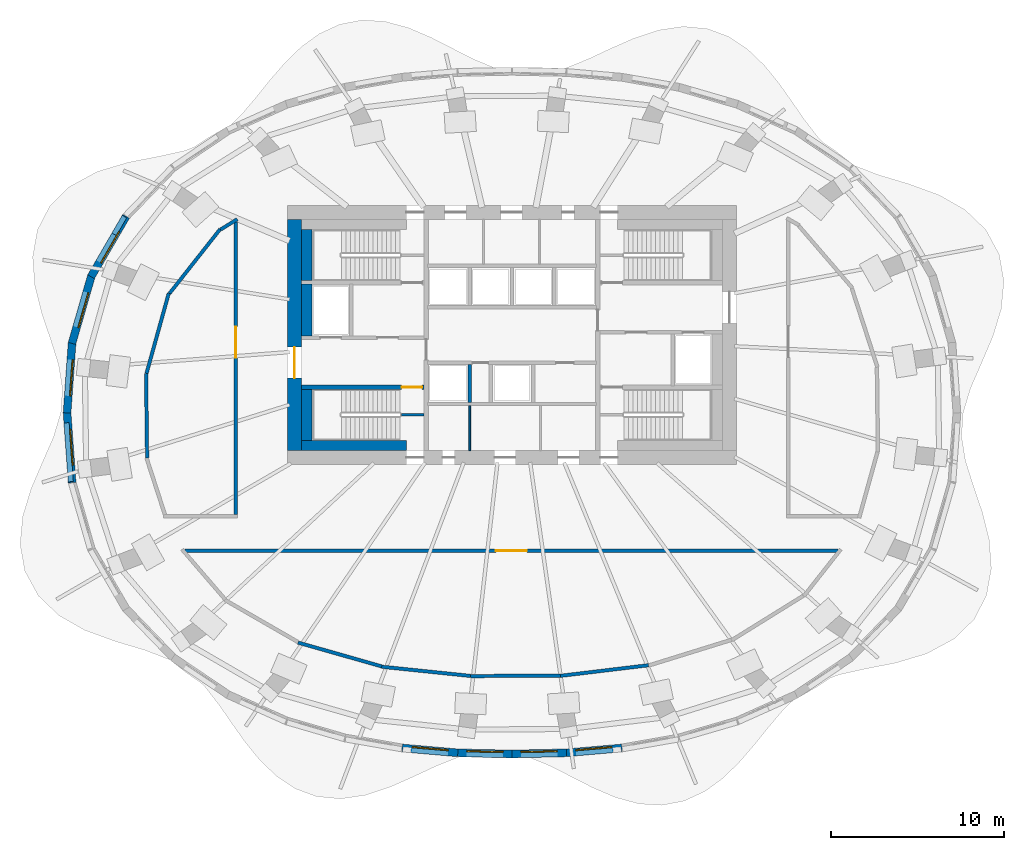
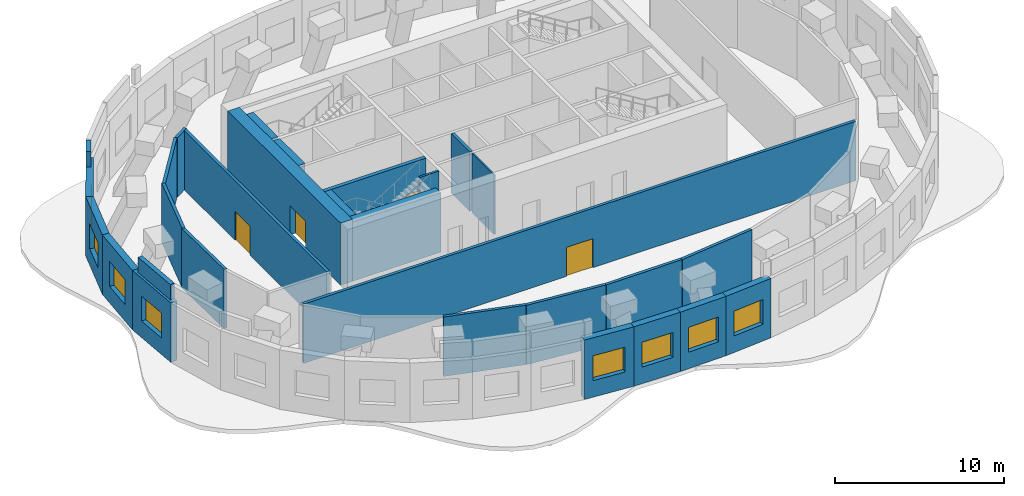
# One storey, part 4 of 9: 29 walls, 8 windows, 4 doors, 12 openings.
"""IFC4 building model written with IfcOpenShell, lengths in metres."""

from ifc_helpers import new_model, si_unit, direction, frame, frame_2d, origin, place, context, subcontext, project, spatial, rectangle, extrude, material, layer, layer_set, type_object, element, fill, save


model = new_model("IFC4")

# Units and contexts
model_context = context("Model", 3, precision=1e-05, world=origin(), true_north=direction((0.0, 1.0)))
body_context = subcontext(model_context, "Body", "Model", "MODEL_VIEW")
ifc_project = project(units=[si_unit("LENGTHUNIT", "METRE"), si_unit("AREAUNIT", "SQUARE_METRE"), si_unit("VOLUMEUNIT", "CUBIC_METRE"), si_unit("PLANEANGLEUNIT", "RADIAN"), si_unit("MASSUNIT", "GRAM", prefix="KILO")], contexts=[model_context])

# Site, building, storey
site_placement = place(None, origin())
site = spatial("IfcSite", under=ifc_project, at=site_placement, CompositionType="ELEMENT")
building_placement = place(site_placement, origin())
building = spatial("IfcBuilding", under=site, at=building_placement, Name="Rubra Terraces Tower", CompositionType="ELEMENT")
storey_placement = place(building_placement, frame((0.0, 0.0, 264.300048828125)))
storey = spatial("IfcBuildingStorey", under=building, at=storey_placement, Name="L65", CompositionType="ELEMENT", Elevation=264.300048828125)

# Wall, opening, window
ifc_material_1 = material(Name="Brick masonry red-brown", Category="masonry")
ifc_layer_1 = layer(ifc_material_1, 0.449951171875)
ifc_layer_set_1 = layer_set([ifc_layer_1], Name="Brick masonry red-brown")
wall_type_1 = type_object("IfcWallType", Name="Brick facade wall 450", PredefinedType="SOLIDWALL", material=ifc_layer_set_1)
wall_1_placement = place(storey_placement, frame((-22.353515625, 11.3759765625, 0.0), z_axis=(0.0, 0.0, 1.0), x_axis=(-0.502055516261, -0.864835393929, 0.0)))
wall_1 = element("IfcWall", 1, at=wall_1_placement, inside=storey, type_object=wall_type_1, Name="Facade wall L65 bay 18", PredefinedType="SOLIDWALL", context=body_context, shape_type="SweptSolid", body=[
    extrude(rectangle(XDim=4.04931640625, YDim=0.449951171875, at=frame_2d((2.024658203125, 0.0))), origin(), (0.0, 0.0, 1.0), 4.300048828125),
])
opening_1_placement = place(wall_1_placement, frame((0.974609375, 0.0, 1.199951171875)))
opening_1 = element("IfcOpeningElement", 2, at=opening_1_placement, cuts=wall_1, Name="Opening W4", PredefinedType="OPENING", context=body_context, shape_type="SweptSolid", body=[
    extrude(rectangle(XDim=2.10009765625, YDim=1.800048828125, at=frame_2d((1.050048828125, 0.89990234375))), frame((0.0, 0.23486328125, 0.0), z_axis=(0.0, -1.0, 0.0), x_axis=(1.0, 0.0, 0.0)), (0.0, 0.0, 1.0), 0.469970703125),
])
ifc_material_2 = material(Name="Clear glass in aluminium frame", Category="aluminium")
window_type = type_object("IfcWindowType", Name="Louvred plant window 2100 x 1800", PartitioningType="SINGLE_PANEL", PredefinedType="WINDOW", material=ifc_material_2)
window_1_placement = place(opening_1_placement, origin())
window_1 = element("IfcWindow", 3, at=window_1_placement, inside=storey, type_object=window_type, Name="Window L65 bay 18", OverallHeight=1.800048828125, OverallWidth=2.10009765625, PartitioningType="SINGLE_PANEL", PredefinedType="WINDOW", context=body_context, shape_type="SweptSolid", body=[
    extrude(rectangle(XDim=2.10009765625, YDim=1.800048828125, at=frame_2d((1.050048828125, 0.89990234375))), frame((0.0, 0.135009765625, 0.0), z_axis=(0.0, -1.0, 0.0), x_axis=(1.0, 0.0, 0.0)), (0.0, 0.0, 1.0), 0.06005859375),
])
fill(opening_1, window_1)

wall_2_placement = place(storey_placement, frame((-24.36474609375, 7.9248046875, 0.0), z_axis=(0.0, 0.0, 1.0), x_axis=(-0.276398759245, -0.961043040601, 0.0)))
wall_2 = element("IfcWall", 4, at=wall_2_placement, inside=storey, type_object=wall_type_1, Name="Facade wall L65 bay 19", PredefinedType="SOLIDWALL", context=body_context, shape_type="SweptSolid", body=[
    extrude(rectangle(XDim=4.07373046875, YDim=0.449951171875, at=frame_2d((2.036865234375, 0.0))), origin(), (0.0, 0.0, 1.0), 4.300048828125),
])
opening_2_placement = place(wall_2_placement, frame((0.98681640625, 0.0, 1.199951171875)))
opening_2 = element("IfcOpeningElement", 5, at=opening_2_placement, cuts=wall_2, Name="Opening W4", PredefinedType="OPENING", context=body_context, shape_type="SweptSolid", body=[
    extrude(rectangle(XDim=2.10009765625, YDim=1.800048828125, at=frame_2d((1.050048828125, 0.89990234375))), frame((0.0, 0.23486328125, 0.0), z_axis=(0.0, -1.0, 0.0), x_axis=(1.0, 0.0, 0.0)), (0.0, 0.0, 1.0), 0.469970703125),
])
window_2_placement = place(opening_2_placement, origin())
window_2 = element("IfcWindow", 6, at=window_2_placement, inside=storey, type_object=window_type, Name="Window L65 bay 19", OverallHeight=1.800048828125, OverallWidth=2.10009765625, PartitioningType="SINGLE_PANEL", PredefinedType="WINDOW", context=body_context, shape_type="SweptSolid", body=[
    extrude(rectangle(XDim=2.10009765625, YDim=1.800048828125, at=frame_2d((1.050048828125, 0.89990234375))), frame((0.0, 0.135009765625, 0.0), z_axis=(0.0, -1.0, 0.0), x_axis=(1.0, 0.0, 0.0)), (0.0, 0.0, 1.0), 0.06005859375),
])
fill(opening_2, window_2)

wall_3_placement = place(storey_placement, frame((-25.482666015625, 4.055908203125, 0.0), z_axis=(0.0, 0.0, 1.0), x_axis=(-0.071761268902, -0.99742183668, 0.0)))
wall_3 = element("IfcWall", 7, at=wall_3_placement, inside=storey, type_object=wall_type_1, Name="Facade wall L65 bay 20", PredefinedType="SOLIDWALL", context=body_context, shape_type="SweptSolid", body=[
    extrude(rectangle(XDim=4.08251953125, YDim=0.449951171875, at=frame_2d((2.041259765625, 0.0))), origin(), (0.0, 0.0, 1.0), 4.300048828125),
])
opening_3_placement = place(wall_3_placement, frame((0.9912109375, 0.0, 1.199951171875)))
opening_3 = element("IfcOpeningElement", 8, at=opening_3_placement, cuts=wall_3, Name="Opening W4", PredefinedType="OPENING", context=body_context, shape_type="SweptSolid", body=[
    extrude(rectangle(XDim=2.10009765625, YDim=1.800048828125, at=frame_2d((1.050048828125, 0.89990234375))), frame((0.0, 0.23486328125, 0.0), z_axis=(0.0, -1.0, 0.0), x_axis=(1.0, 0.0, 0.0)), (0.0, 0.0, 1.0), 0.469970703125),
])
window_3_placement = place(opening_3_placement, origin())
window_3 = element("IfcWindow", 9, at=window_3_placement, inside=storey, type_object=window_type, Name="Window L65 bay 20", OverallHeight=1.800048828125, OverallWidth=2.10009765625, PartitioningType="SINGLE_PANEL", PredefinedType="WINDOW", context=body_context, shape_type="SweptSolid", body=[
    extrude(rectangle(XDim=2.10009765625, YDim=1.800048828125, at=frame_2d((1.050048828125, 0.89990234375))), frame((0.0, 0.135009765625, 0.0), z_axis=(0.0, -1.0, 0.0), x_axis=(1.0, 0.0, 0.0)), (0.0, 0.0, 1.0), 0.06005859375),
])
fill(opening_3, window_3)

wall_4_placement = place(storey_placement, frame((-25.775634765625, 0.01611328125, 0.0), z_axis=(0.0, 0.0, 1.0), x_axis=(0.071761268902, -0.99742183668, 0.0)))
wall_4 = element("IfcWall", 10, at=wall_4_placement, inside=storey, type_object=wall_type_1, Name="Facade wall L65 bay 21", PredefinedType="SOLIDWALL", context=body_context, shape_type="SweptSolid", body=[
    extrude(rectangle(XDim=4.08251953125, YDim=0.449951171875, at=frame_2d((2.041259765625, 0.0))), origin(), (0.0, 0.0, 1.0), 4.300048828125),
])
opening_4_placement = place(wall_4_placement, frame((0.9912109375, 0.0, 1.199951171875)))
opening_4 = element("IfcOpeningElement", 11, at=opening_4_placement, cuts=wall_4, Name="Opening W4", PredefinedType="OPENING", context=body_context, shape_type="SweptSolid", body=[
    extrude(rectangle(XDim=2.10009765625, YDim=1.800048828125, at=frame_2d((1.050048828125, 0.89990234375))), frame((0.0, 0.23486328125, 0.0), z_axis=(0.0, -1.0, 0.0), x_axis=(1.0, 0.0, 0.0)), (0.0, 0.0, 1.0), 0.469970703125),
])
window_4_placement = place(opening_4_placement, origin())
window_4 = element("IfcWindow", 12, at=window_4_placement, inside=storey, type_object=window_type, Name="Window L65 bay 21", OverallHeight=1.800048828125, OverallWidth=2.10009765625, PartitioningType="SINGLE_PANEL", PredefinedType="WINDOW", context=body_context, shape_type="SweptSolid", body=[
    extrude(rectangle(XDim=2.10009765625, YDim=1.800048828125, at=frame_2d((1.050048828125, 0.89990234375))), frame((0.0, 0.135009765625, 0.0), z_axis=(0.0, -1.0, 0.0), x_axis=(1.0, 0.0, 0.0)), (0.0, 0.0, 1.0), 0.06005859375),
])
fill(opening_4, window_4)

wall_5_placement = place(storey_placement, frame((-6.365478515625, -19.427734375, 0.0), z_axis=(0.0, 0.0, 1.0), x_axis=(0.996257816502, -0.086431262047, 0.0)))
wall_5 = element("IfcWall", 13, at=wall_5_placement, inside=storey, type_object=wall_type_1, Name="Facade wall L65 bay 29", PredefinedType="SOLIDWALL", context=body_context, shape_type="SweptSolid", body=[
    extrude(rectangle(XDim=3.239990234375, YDim=0.449951171875, at=frame_2d((1.6201171875, 0.0))), origin(), (0.0, 0.0, 1.0), 4.300048828125),
])
opening_5_placement = place(wall_5_placement, frame((0.570068359375, 0.0, 1.199951171875)))
opening_5 = element("IfcOpeningElement", 14, at=opening_5_placement, cuts=wall_5, Name="Opening W4", PredefinedType="OPENING", context=body_context, shape_type="SweptSolid", body=[
    extrude(rectangle(XDim=2.10009765625, YDim=1.800048828125, at=frame_2d((1.050048828125, 0.89990234375))), frame((0.0, 0.23486328125, 0.0), z_axis=(0.0, -1.0, 0.0), x_axis=(1.0, 0.0, 0.0)), (0.0, 0.0, 1.0), 0.469970703125),
])
window_5_placement = place(opening_5_placement, origin())
window_5 = element("IfcWindow", 15, at=window_5_placement, inside=storey, type_object=window_type, Name="Window L65 bay 29", OverallHeight=1.800048828125, OverallWidth=2.10009765625, PartitioningType="SINGLE_PANEL", PredefinedType="WINDOW", context=body_context, shape_type="SweptSolid", body=[
    extrude(rectangle(XDim=2.10009765625, YDim=1.800048828125, at=frame_2d((1.050048828125, 0.89990234375))), frame((0.0, 0.135009765625, 0.0), z_axis=(0.0, -1.0, 0.0), x_axis=(1.0, 0.0, 0.0)), (0.0, 0.0, 1.0), 0.06005859375),
])
fill(opening_5, window_5)

wall_6_placement = place(storey_placement, frame((-3.152099609375, -19.70703125, 0.0), z_axis=(0.0, 0.0, 1.0), x_axis=(0.999768982512, -0.021493757415, 0.0)))
wall_6 = element("IfcWall", 16, at=wall_6_placement, inside=storey, type_object=wall_type_1, Name="Facade wall L65 bay 30", PredefinedType="SOLIDWALL", context=body_context, shape_type="SweptSolid", body=[
    extrude(rectangle(XDim=3.15771484375, YDim=0.449951171875, at=frame_2d((1.578857421875, 0.0))), origin(), (0.0, 0.0, 1.0), 4.300048828125),
])
opening_6_placement = place(wall_6_placement, frame((0.52880859375, 0.0, 1.199951171875)))
opening_6 = element("IfcOpeningElement", 17, at=opening_6_placement, cuts=wall_6, Name="Opening W4", PredefinedType="OPENING", context=body_context, shape_type="SweptSolid", body=[
    extrude(rectangle(XDim=2.10009765625, YDim=1.800048828125, at=frame_2d((1.050048828125, 0.89990234375))), frame((0.0, 0.23486328125, 0.0), z_axis=(0.0, -1.0, 0.0), x_axis=(1.0, 0.0, 0.0)), (0.0, 0.0, 1.0), 0.469970703125),
])
window_6_placement = place(opening_6_placement, origin())
window_6 = element("IfcWindow", 18, at=window_6_placement, inside=storey, type_object=window_type, Name="Window L65 bay 30", OverallHeight=1.800048828125, OverallWidth=2.10009765625, PartitioningType="SINGLE_PANEL", PredefinedType="WINDOW", context=body_context, shape_type="SweptSolid", body=[
    extrude(rectangle(XDim=2.10009765625, YDim=1.800048828125, at=frame_2d((1.050048828125, 0.89990234375))), frame((0.0, 0.135009765625, 0.0), z_axis=(0.0, -1.0, 0.0), x_axis=(1.0, 0.0, 0.0)), (0.0, 0.0, 1.0), 0.06005859375),
])
fill(opening_6, window_6)

wall_7_placement = place(storey_placement, frame((-0.0048828125, -19.77490234375, 0.0), z_axis=(0.0, 0.0, 1.0), x_axis=(0.999768982512, 0.021493757415, 0.0)))
wall_7 = element("IfcWall", 19, at=wall_7_placement, inside=storey, type_object=wall_type_1, Name="Facade wall L65 bay 31", PredefinedType="SOLIDWALL", context=body_context, shape_type="SweptSolid", body=[
    extrude(rectangle(XDim=3.15771484375, YDim=0.449951171875, at=frame_2d((1.578857421875, 0.0))), origin(), (0.0, 0.0, 1.0), 4.300048828125),
])
opening_7_placement = place(wall_7_placement, frame((0.52880859375, 0.0, 1.199951171875)))
opening_7 = element("IfcOpeningElement", 20, at=opening_7_placement, cuts=wall_7, Name="Opening W4", PredefinedType="OPENING", context=body_context, shape_type="SweptSolid", body=[
    extrude(rectangle(XDim=2.10009765625, YDim=1.800048828125, at=frame_2d((1.050048828125, 0.89990234375))), frame((0.0, 0.23486328125, 0.0), z_axis=(0.0, -1.0, 0.0), x_axis=(1.0, 0.0, 0.0)), (0.0, 0.0, 1.0), 0.469970703125),
])
window_7_placement = place(opening_7_placement, origin())
window_7 = element("IfcWindow", 21, at=window_7_placement, inside=storey, type_object=window_type, Name="Window L65 bay 31", OverallHeight=1.800048828125, OverallWidth=2.10009765625, PartitioningType="SINGLE_PANEL", PredefinedType="WINDOW", context=body_context, shape_type="SweptSolid", body=[
    extrude(rectangle(XDim=2.10009765625, YDim=1.800048828125, at=frame_2d((1.050048828125, 0.89990234375))), frame((0.0, 0.135009765625, 0.0), z_axis=(0.0, -1.0, 0.0), x_axis=(1.0, 0.0, 0.0)), (0.0, 0.0, 1.0), 0.06005859375),
])
fill(opening_7, window_7)

wall_8_placement = place(storey_placement, frame((3.1376953125, -19.707763671875, 0.0), z_axis=(0.0, 0.0, 1.0), x_axis=(0.996257816502, 0.086431262047, 0.0)))
wall_8 = element("IfcWall", 22, at=wall_8_placement, inside=storey, type_object=wall_type_1, Name="Facade wall L65 bay 32", PredefinedType="SOLIDWALL", context=body_context, shape_type="SweptSolid", body=[
    extrude(rectangle(XDim=3.239990234375, YDim=0.449951171875, at=frame_2d((1.6201171875, 0.0))), origin(), (0.0, 0.0, 1.0), 4.300048828125),
])
opening_8_placement = place(wall_8_placement, frame((0.570068359375, 0.0, 1.199951171875)))
opening_8 = element("IfcOpeningElement", 23, at=opening_8_placement, cuts=wall_8, Name="Opening W4", PredefinedType="OPENING", context=body_context, shape_type="SweptSolid", body=[
    extrude(rectangle(XDim=2.10009765625, YDim=1.800048828125, at=frame_2d((1.050048828125, 0.89990234375))), frame((0.0, 0.23486328125, 0.0), z_axis=(0.0, -1.0, 0.0), x_axis=(1.0, 0.0, 0.0)), (0.0, 0.0, 1.0), 0.469970703125),
])
window_8_placement = place(opening_8_placement, origin())
window_8 = element("IfcWindow", 24, at=window_8_placement, inside=storey, type_object=window_type, Name="Window L65 bay 32", OverallHeight=1.800048828125, OverallWidth=2.10009765625, PartitioningType="SINGLE_PANEL", PredefinedType="WINDOW", context=body_context, shape_type="SweptSolid", body=[
    extrude(rectangle(XDim=2.10009765625, YDim=1.800048828125, at=frame_2d((1.050048828125, 0.89990234375))), frame((0.0, 0.135009765625, 0.0), z_axis=(0.0, -1.0, 0.0), x_axis=(1.0, 0.0, 0.0)), (0.0, 0.0, 1.0), 0.06005859375),
])
fill(opening_8, window_8)

# Walls
ifc_layer_2 = layer(ifc_material_1, 0.300048828125)
ifc_layer_set_2 = layer_set([ifc_layer_2], Name="Brick masonry red-brown")
wall_type_2 = type_object("IfcWallType", Name="Brick parapet 300", PredefinedType="PARAPET", material=ifc_layer_set_2)
wall_9_placement = place(storey_placement, frame((-22.45166015625, 11.356201171875, 4.5), z_axis=(0.0, 0.0, 1.0), x_axis=(-0.5021006954, -0.864809164891, 0.0)))
element("IfcWall", 25, at=wall_9_placement, inside=storey, type_object=wall_type_2, Name="Parapet L65 bay 18", PredefinedType="PARAPET", context=body_context, shape_type="SweptSolid", body=[
    extrude(rectangle(XDim=1.18408203125, YDim=0.300048828125, at=frame_2d((0.592041015625, 0.0))), origin(), (0.0, 0.0, 1.0), 1.099853515625),
])
wall_10_placement = place(storey_placement, frame((-25.807373046875, -0.58837890625, 4.5), z_axis=(0.0, 0.0, 1.0), x_axis=(0.071805009365, -0.997418688731, 0.0)))
element("IfcWall", 26, at=wall_10_placement, inside=storey, type_object=wall_type_2, Name="Parapet L65 bay 21", PredefinedType="PARAPET", context=body_context, shape_type="SweptSolid", body=[
    extrude(rectangle(XDim=3.42041015625, YDim=0.300048828125, at=frame_2d((1.710205078125, 0.0))), origin(), (0.0, 0.0, 1.0), 1.099853515625),
])

# Wall, opening, door
ifc_material_3 = material(Name="Concrete C50", Category="concrete")
ifc_layer_3 = layer(ifc_material_3, 0.800048828125)
ifc_layer_set_3 = layer_set([ifc_layer_3], Name="Concrete C50")
wall_type_3 = type_object("IfcWallType", Name="CORE WALL 800 C50", PredefinedType="SHEAR", material=ifc_layer_set_3)
wall_11_placement = place(storey_placement, frame((-12.60009765625, -2.199951171875, 0.0), z_axis=(0.0, 0.0, 1.0), x_axis=(0.0, 1.0, 0.0)))
wall_11 = element("IfcWall", 27, at=wall_11_placement, inside=storey, type_object=wall_type_3, Name="CORE WALL W L65", PredefinedType="SHEAR", context=body_context, shape_type="SweptSolid", body=[
    extrude(rectangle(XDim=13.39990234375, YDim=0.800048828125, at=frame_2d((6.699951171875, 0.0))), origin(), (0.0, 0.0, 1.0), 4.5),
])
opening_9_placement = place(wall_11_placement, frame((4.199951171875, 0.0, 0.0)))
opening_9 = element("IfcOpeningElement", 28, at=opening_9_placement, cuts=wall_11, Name="Opening L65.C01", PredefinedType="OPENING", context=body_context, shape_type="SweptSolid", body=[
    extrude(rectangle(XDim=1.800048828125, YDim=2.10009765625, at=frame_2d((0.89990234375, 1.050048828125))), frame((0.0, 0.409912109375, 0.0), z_axis=(0.0, -1.0, 0.0), x_axis=(1.0, 0.0, 0.0)), (0.0, 0.0, 1.0), 0.820068359375),
])
ifc_material_4 = material(Name="Painted steel", Category="steel")
door_type_1 = type_object("IfcDoorType", Name="Fire door 1800x2100 double", OperationType="NOTDEFINED", PredefinedType="DOOR", material=ifc_material_4)
door_1_placement = place(opening_9_placement, origin())
door_1 = element("IfcDoor", 29, at=door_1_placement, inside=storey, type_object=door_type_1, Name="Core entrance door FF1", OperationType="DOUBLE_DOOR_SINGLE_SWING", OverallHeight=2.10009765625, OverallWidth=1.800048828125, PredefinedType="DOOR", context=body_context, shape_type="SweptSolid", body=[
    extrude(rectangle(XDim=1.800048828125, YDim=2.10009765625, at=frame_2d((0.89990234375, 1.050048828125))), frame((0.0, 0.02490234375, 0.0), z_axis=(0.0, -1.0, 0.0), x_axis=(1.0, 0.0, 0.0)), (0.0, 0.0, 1.0), 0.050048828125),
])
fill(opening_9, door_1)

# Walls
ifc_material_5 = material(Name="Concrete C40", Category="concrete")
ifc_layer_4 = layer(ifc_material_5, 0.60009765625)
ifc_layer_set_4 = layer_set([ifc_layer_4], Name="Concrete C40")
wall_type_4 = type_object("IfcWallType", Name="Core lining wall 600 concrete", PredefinedType="SOLIDWALL", material=ifc_layer_set_4)
wall_12_placement = place(storey_placement, frame((-12.199951171875, -1.89990234375, 0.0), z_axis=(0.0, 0.0, 1.0), x_axis=(1.0, 0.0, 0.0)))
element("IfcWall", 30, at=wall_12_placement, inside=storey, type_object=wall_type_4, Name="CORE LINING WALL L65", PredefinedType="SOLIDWALL", context=body_context, shape_type="SweptSolid", body=[
    extrude(rectangle(XDim=6.079833984375, YDim=0.60009765625, at=frame_2d((3.0400390625, 0.0))), origin(), (0.0, 0.0, 1.0), 4.300048828125),
])
wall_13_placement = place(storey_placement, frame((-11.89990234375, -1.60009765625, 0.0), z_axis=(0.0, 0.0, 1.0), x_axis=(0.0, 1.0, 0.0)))
element("IfcWall", 31, at=wall_13_placement, inside=storey, type_object=wall_type_4, Name="CORE LINING WALL L65", PredefinedType="SOLIDWALL", context=body_context, shape_type="SweptSolid", body=[
    extrude(rectangle(XDim=2.9501953125, YDim=0.60009765625, at=frame_2d((1.47509765625, 0.0))), origin(), (0.0, 0.0, 1.0), 4.300048828125),
])
wall_14_placement = place(storey_placement, frame((-11.89990234375, 4.449951171875, 0.0), z_axis=(0.0, 0.0, 1.0), x_axis=(0.0, 1.0, 0.0)))
element("IfcWall", 32, at=wall_14_placement, inside=storey, type_object=wall_type_4, Name="CORE LINING WALL L65", PredefinedType="SOLIDWALL", context=body_context, shape_type="SweptSolid", body=[
    extrude(rectangle(XDim=3.0, YDim=0.60009765625, at=frame_2d((1.5, 0.0))), origin(), (0.0, 0.0, 1.0), 4.300048828125),
])
wall_15_placement = place(storey_placement, frame((-11.89990234375, 7.64990234375, 0.0), z_axis=(0.0, 0.0, 1.0), x_axis=(0.0, 1.0, 0.0)))
element("IfcWall", 33, at=wall_15_placement, inside=storey, type_object=wall_type_4, Name="CORE LINING WALL L65", PredefinedType="SOLIDWALL", context=body_context, shape_type="SweptSolid", body=[
    extrude(rectangle(XDim=2.9501953125, YDim=0.60009765625, at=frame_2d((1.47509765625, 0.0))), origin(), (0.0, 0.0, 1.0), 4.300048828125),
])
ifc_material_6 = material(Name="Concrete C30", Category="concrete")
ifc_layer_5 = layer(ifc_material_6, 0.199951171875)
ifc_layer_set_5 = layer_set([ifc_layer_5], Name="Concrete C30")
wall_type_5 = type_object("IfcWallType", Name="Core wall 200 concrete", PredefinedType="SOLIDWALL", material=ifc_layer_set_5)
wall_16_placement = place(storey_placement, frame((-2.449951171875, 0.60009765625, 0.0), z_axis=(0.0, 0.0, 1.0), x_axis=(0.0, 1.0, 0.0)))
element("IfcWall", 34, at=wall_16_placement, inside=storey, type_object=wall_type_5, Name="LIFT SHAFT WALL L65", PredefinedType="SOLIDWALL", context=body_context, shape_type="SweptSolid", body=[
    extrude(rectangle(XDim=2.199951171875, YDim=0.199951171875, at=frame_2d((1.10009765625, 0.0))), origin(), (0.0, 0.0, 1.0), 4.300048828125),
])
ifc_material_7 = material(Name="Blockwork", Category="masonry")
ifc_layer_6 = layer(ifc_material_7, 0.199951171875)
ifc_layer_set_6 = layer_set([ifc_layer_6], Name="Blockwork")
wall_type_6 = type_object("IfcWallType", Name="Corridor partition 200 blockwork", PredefinedType="PARTITIONING", material=ifc_layer_set_6)
wall_17_placement = place(storey_placement, frame((7.912109375, -14.633056640625, 0.0), z_axis=(0.0, 0.0, 1.0), x_axis=(-0.992841344803, -0.119440629808, 0.0)))
element("IfcWall", 35, at=wall_17_placement, inside=storey, type_object=wall_type_6, Name="Partition wall", PredefinedType="PARTITIONING", context=body_context, shape_type="SweptSolid", body=[
    extrude(rectangle(XDim=5.14892578125, YDim=0.199951171875, at=frame_2d((2.574462890625, 0.0))), origin(), (0.0, 0.0, 1.0), 4.300048828125),
])
wall_18_placement = place(storey_placement, frame((2.799072265625, -15.236083984375, 0.0), z_axis=(0.0, 0.0, 1.0), x_axis=(-0.9999876741, -0.004965042553, 0.0)))
element("IfcWall", 36, at=wall_18_placement, inside=storey, type_object=wall_type_6, Name="Partition wall", PredefinedType="PARTITIONING", context=body_context, shape_type="SweptSolid", body=[
    extrude(rectangle(XDim=5.212158203125, YDim=0.199951171875, at=frame_2d((2.60595703125, 0.0))), origin(), (0.0, 0.0, 1.0), 4.300048828125),
])
wall_19_placement = place(storey_placement, frame((-2.412109375, -15.251953125, 0.0), z_axis=(0.0, 0.0, 1.0), x_axis=(-0.994673915242, 0.103071830955, 0.0)))
element("IfcWall", 37, at=wall_19_placement, inside=storey, type_object=wall_type_6, Name="Partition wall", PredefinedType="PARTITIONING", context=body_context, shape_type="SweptSolid", body=[
    extrude(rectangle(XDim=5.161376953125, YDim=0.199951171875, at=frame_2d((2.58056640625, 0.0))), origin(), (0.0, 0.0, 1.0), 4.300048828125),
])
wall_20_placement = place(storey_placement, frame((-7.54296875, -14.702880859375, 0.0), z_axis=(0.0, 0.0, 1.0), x_axis=(-0.961706339668, 0.27408195169, 0.0)))
element("IfcWall", 38, at=wall_20_placement, inside=storey, type_object=wall_type_6, Name="Partition wall", PredefinedType="PARTITIONING", context=body_context, shape_type="SweptSolid", body=[
    extrude(rectangle(XDim=5.045166015625, YDim=0.199951171875, at=frame_2d((2.5224609375, 0.0))), origin(), (0.0, 0.0, 1.0), 4.300048828125),
])

# Wall, opening, door
wall_21_placement = place(storey_placement, frame((-18.947021484375, -8.0, 0.0), z_axis=(0.0, 0.0, 1.0), x_axis=(1.0, 0.0, 0.0)))
wall_21 = element("IfcWall", 39, at=wall_21_placement, inside=storey, type_object=wall_type_6, Name="Partition wall", PredefinedType="PARTITIONING", context=body_context, shape_type="SweptSolid", body=[
    extrude(rectangle(XDim=37.825927734375, YDim=0.199951171875, at=frame_2d((18.9130859375, 0.0))), origin(), (0.0, 0.0, 1.0), 4.300048828125),
])
opening_10_placement = place(wall_21_placement, frame((18.012939453125, 0.0, 0.0)))
opening_10 = element("IfcOpeningElement", 40, at=opening_10_placement, cuts=wall_21, Name="Opening DB3", PredefinedType="OPENING", context=body_context, shape_type="SweptSolid", body=[
    extrude(rectangle(XDim=1.800048828125, YDim=2.10009765625, at=frame_2d((0.89990234375, 1.050048828125))), frame((0.0, 0.10986328125, 0.0), z_axis=(0.0, -1.0, 0.0), x_axis=(1.0, 0.0, 0.0)), (0.0, 0.0, 1.0), 0.219970703125),
])
door_type_2 = type_object("IfcDoorType", Name="Door 1800x2100 double", OperationType="NOTDEFINED", PredefinedType="DOOR", material=ifc_material_4)
door_2_placement = place(opening_10_placement, origin())
door_2 = element("IfcDoor", 41, at=door_2_placement, inside=storey, type_object=door_type_2, Name="Refuge area door L65-01", OperationType="DOUBLE_DOOR_SINGLE_SWING", OverallHeight=2.10009765625, OverallWidth=1.800048828125, PredefinedType="DOOR", context=body_context, shape_type="SweptSolid", body=[
    extrude(rectangle(XDim=1.800048828125, YDim=2.10009765625, at=frame_2d((0.89990234375, 1.050048828125))), frame((0.0, 0.02490234375, 0.0), z_axis=(0.0, -1.0, 0.0), x_axis=(1.0, 0.0, 0.0)), (0.0, 0.0, 1.0), 0.050048828125),
])
fill(opening_10, door_2)

# Walls
wall_22_placement = place(storey_placement, frame((-21.137939453125, -2.6298828125, 0.0), z_axis=(0.0, 0.0, 1.0), x_axis=(-0.012626385888, 0.999920284012, 0.0)))
element("IfcWall", 42, at=wall_22_placement, inside=storey, type_object=wall_type_6, Name="Partition wall", PredefinedType="PARTITIONING", context=body_context, shape_type="SweptSolid", body=[
    extrude(rectangle(XDim=4.911376953125, YDim=0.199951171875, at=frame_2d((2.45556640625, 0.0))), origin(), (0.0, 0.0, 1.0), 4.300048828125),
])
wall_23_placement = place(storey_placement, frame((-21.172119140625, 2.277099609375, 0.0), z_axis=(0.0, 0.0, 1.0), x_axis=(0.267756413289, 0.963486638798, 0.0)))
element("IfcWall", 43, at=wall_23_placement, inside=storey, type_object=wall_type_6, Name="Partition wall", PredefinedType="PARTITIONING", context=body_context, shape_type="SweptSolid", body=[
    extrude(rectangle(XDim=4.810546875, YDim=0.199951171875, at=frame_2d((2.4052734375, 0.0))), origin(), (0.0, 0.0, 1.0), 4.300048828125),
])
wall_24_placement = place(storey_placement, frame((-19.84912109375, 6.89501953125, 0.0), z_axis=(0.0, 0.0, 1.0), x_axis=(0.618811760178, 0.785539308669, 0.0)))
element("IfcWall", 44, at=wall_24_placement, inside=storey, type_object=wall_type_6, Name="Partition wall", PredefinedType="PARTITIONING", context=body_context, shape_type="SweptSolid", body=[
    extrude(rectangle(XDim=4.756103515625, YDim=0.199951171875, at=frame_2d((2.3779296875, 0.0))), origin(), (0.0, 0.0, 1.0), 4.300048828125),
])
wall_25_placement = place(storey_placement, frame((-16.883056640625, 10.60498046875, 0.0), z_axis=(0.0, 0.0, 1.0), x_axis=(0.84954745962, 0.527512193085, 0.0)))
element("IfcWall", 45, at=wall_25_placement, inside=storey, type_object=wall_type_6, Name="Partition wall", PredefinedType="PARTITIONING", context=body_context, shape_type="SweptSolid", body=[
    extrude(rectangle(XDim=1.139404296875, YDim=0.199951171875, at=frame_2d((0.56982421875, 0.0))), origin(), (0.0, 0.0, 1.0), 4.300048828125),
])

# Wall, opening, door
wall_26_placement = place(storey_placement, frame((-16.0, 11.052978515625, 0.0), z_axis=(0.0, 0.0, 1.0), x_axis=(0.0, -1.0, 0.0)))
wall_26 = element("IfcWall", 46, at=wall_26_placement, inside=storey, type_object=wall_type_6, Name="Partition wall", PredefinedType="PARTITIONING", context=body_context, shape_type="SweptSolid", body=[
    extrude(rectangle(XDim=16.952880859375, YDim=0.199951171875, at=frame_2d((8.4765625, 0.0))), origin(), (0.0, 0.0, 1.0), 4.300048828125),
])
opening_11_placement = place(wall_26_placement, frame((6.076904296875, 0.0, 0.0)))
opening_11 = element("IfcOpeningElement", 47, at=opening_11_placement, cuts=wall_26, Name="Opening DB3", PredefinedType="OPENING", context=body_context, shape_type="SweptSolid", body=[
    extrude(rectangle(XDim=1.800048828125, YDim=2.10009765625, at=frame_2d((0.89990234375, 1.050048828125))), frame((0.0, 0.10986328125, 0.0), z_axis=(0.0, -1.0, 0.0), x_axis=(1.0, 0.0, 0.0)), (0.0, 0.0, 1.0), 0.219970703125),
])
door_3_placement = place(opening_11_placement, origin())
door_3 = element("IfcDoor", 48, at=door_3_placement, inside=storey, type_object=door_type_2, Name="Refuge area door L65-02", OperationType="DOUBLE_DOOR_SINGLE_SWING", OverallHeight=2.10009765625, OverallWidth=1.800048828125, PredefinedType="DOOR", context=body_context, shape_type="SweptSolid", body=[
    extrude(rectangle(XDim=1.800048828125, YDim=2.10009765625, at=frame_2d((0.89990234375, 1.050048828125))), frame((0.0, 0.02490234375, 0.0), z_axis=(0.0, -1.0, 0.0), x_axis=(1.0, 0.0, 0.0)), (0.0, 0.0, 1.0), 0.050048828125),
])
fill(opening_11, door_3)

# Wall
ifc_layer_7 = layer(ifc_material_7, 0.10009765625)
ifc_layer_set_7 = layer_set([ifc_layer_7], Name="Blockwork")
wall_type_7 = type_object("IfcWallType", Name="Service partition 100 blockwork", PredefinedType="PARTITIONING", material=ifc_layer_set_7)
wall_27_placement = place(storey_placement, frame((-2.449951171875, -2.199951171875, 0.0), z_axis=(0.0, 0.0, 1.0), x_axis=(0.0, 1.0, 0.0)))
element("IfcWall", 49, at=wall_27_placement, inside=storey, type_object=wall_type_7, Name="SERVICE ROOM PARTITION L65", PredefinedType="PARTITIONING", context=body_context, shape_type="SweptSolid", body=[
    extrude(rectangle(XDim=2.599853515625, YDim=0.10009765625, at=frame_2d((1.2998046875, 0.0))), origin(), (0.0, 0.0, 1.0), 4.300048828125),
])

# Wall, opening, door
ifc_layer_8 = layer(ifc_material_5, 0.25)
ifc_layer_set_8 = layer_set([ifc_layer_8], Name="Concrete C40")
wall_type_8 = type_object("IfcWallType", Name="Stair enclosure wall 250 concrete", PredefinedType="SOLIDWALL", material=ifc_layer_set_8)
wall_28_placement = place(storey_placement, frame((-12.199951171875, 1.47509765625, 0.0), z_axis=(0.0, 0.0, 1.0), x_axis=(1.0, 0.0, 0.0)))
wall_28 = element("IfcWall", 50, at=wall_28_placement, inside=storey, type_object=wall_type_8, Name="STAIR WALL L65", PredefinedType="SOLIDWALL", context=body_context, shape_type="SweptSolid", body=[
    extrude(rectangle(XDim=7.099853515625, YDim=0.25, at=frame_2d((3.5498046875, 0.0))), origin(), (0.0, 0.0, 1.0), 4.300048828125),
])
opening_12_placement = place(wall_28_placement, frame((5.800048828125, 0.0, 0.0)))
opening_12 = element("IfcOpeningElement", 51, at=opening_12_placement, cuts=wall_28, Name="Opening L65.C07", PredefinedType="OPENING", context=body_context, shape_type="SweptSolid", body=[
    extrude(rectangle(XDim=1.199951171875, YDim=2.10009765625, at=frame_2d((0.60009765625, 1.050048828125))), frame((0.0, 0.135009765625, 0.0), z_axis=(0.0, -1.0, 0.0), x_axis=(1.0, 0.0, 0.0)), (0.0, 0.0, 1.0), 0.27001953125),
])
door_type_3 = type_object("IfcDoorType", Name="Fire door 1200x2100 single", OperationType="NOTDEFINED", PredefinedType="DOOR", material=ifc_material_4)
door_4_placement = place(opening_12_placement, origin())
door_4 = element("IfcDoor", 52, at=door_4_placement, inside=storey, type_object=door_type_3, Name="Stair door S1", OperationType="SINGLE_SWING_LEFT", OverallHeight=2.10009765625, OverallWidth=1.199951171875, PredefinedType="DOOR", context=body_context, shape_type="SweptSolid", body=[
    extrude(rectangle(XDim=1.199951171875, YDim=2.10009765625, at=frame_2d((0.60009765625, 1.050048828125))), frame((0.0, 0.02490234375, 0.0), z_axis=(0.0, -1.0, 0.0), x_axis=(1.0, 0.0, 0.0)), (0.0, 0.0, 1.0), 0.050048828125),
])
fill(opening_12, door_4)

# Wall
ifc_layer_9 = layer(ifc_material_5, 0.14990234375)
ifc_layer_set_9 = layer_set([ifc_layer_9], Name="Concrete C40")
wall_type_9 = type_object("IfcWallType", Name="Stair separation wall 150 concrete", PredefinedType="SOLIDWALL", material=ifc_layer_set_9)
wall_29_placement = place(storey_placement, frame((-6.39990234375, -0.125, 0.0), z_axis=(0.0, 0.0, 1.0), x_axis=(1.0, 0.0, 0.0)))
element("IfcWall", 53, at=wall_29_placement, inside=storey, type_object=wall_type_9, Name="STAIR SEPARATION WALL L65", PredefinedType="SOLIDWALL", context=body_context, shape_type="SweptSolid", body=[
    extrude(rectangle(XDim=1.2998046875, YDim=0.14990234375, at=frame_2d((0.64990234375, 0.0))), origin(), (0.0, 0.0, 1.0), 4.300048828125),
])

save(model, "model.ifc")
